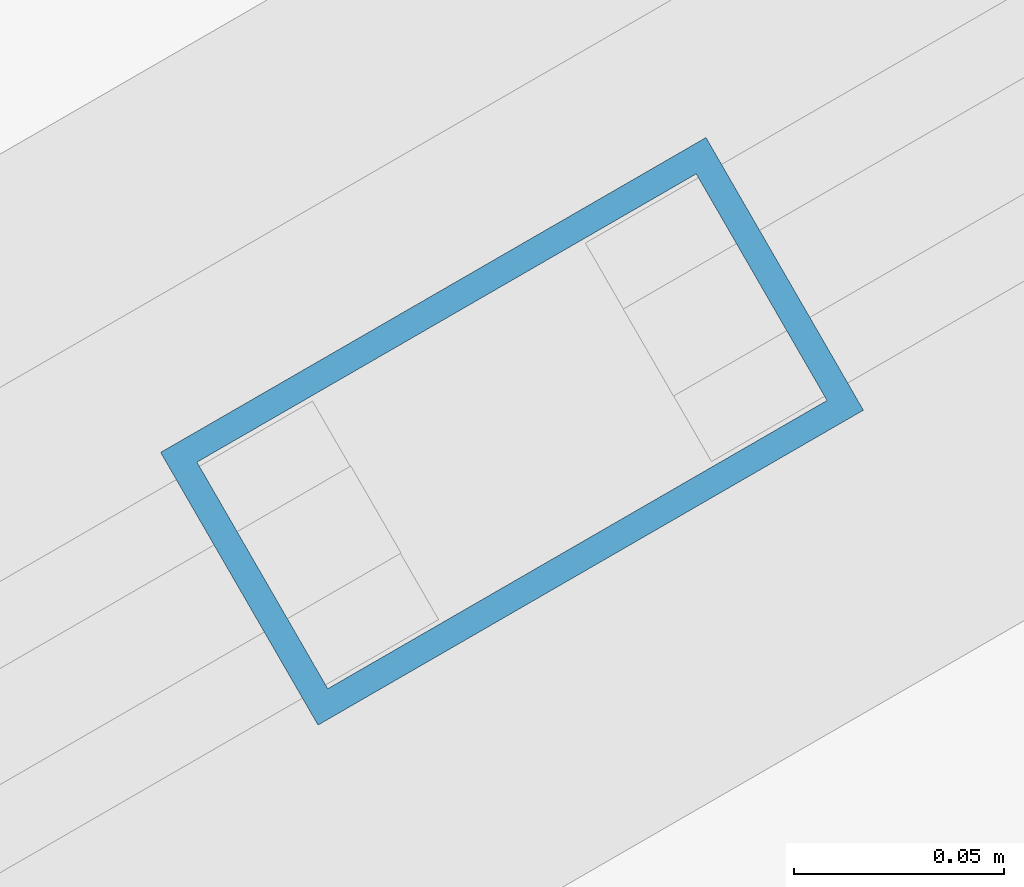
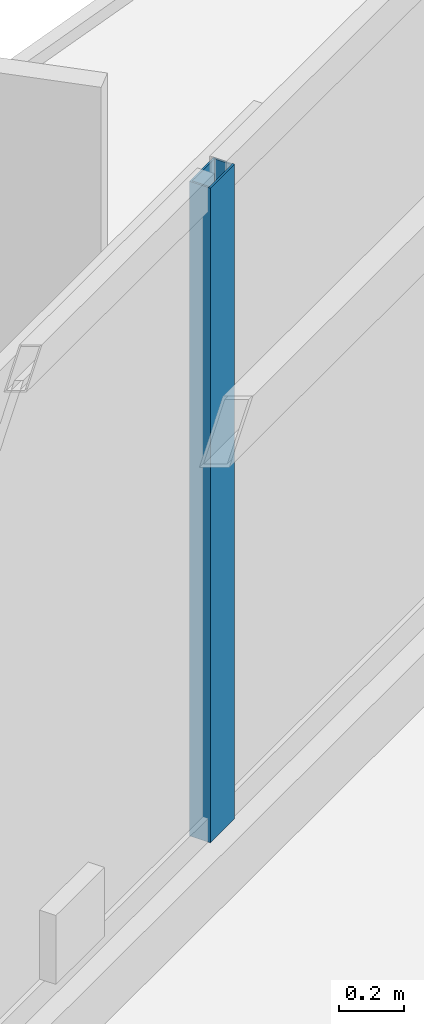
# One storey, part 11 of 22: 1 member, 1 element without a shape of its own.
"""IFC4 building model written with IfcOpenShell, lengths in metres."""

import ifcopenshell
import ifcopenshell.guid

model = None  # the IFC model being written
_history = None  # IfcOwnerHistory: only IFC2X3 demands one
_inside = {}  # id of a spatial element -> (the spatial element, [elements in it])
_under = {}  # id of a project, library or spatial element -> (it, [spatial elements below it])
_declared = {}  # id of a project -> (the project, [libraries it declares])
_typed = {}  # id of a type object -> (the type object, [elements of that type])
_made_of = {}  # id of a material, layer set ... -> (it, [elements and type objects made of it])


def new_model(schema):
    """Start an empty IFC model of exactly this schema.

    Asked for "IFC4X3", IfcOpenShell would pick the latest addendum, in which some entities
    have other attributes; the version numbers below select the first issue.
    IFC2X3 requires an IfcOwnerHistory on every rooted entity: one is made here for all.
    """
    global model, _history
    if schema == "IFC4X3":
        model = ifcopenshell.file(schema_version=(4, 3, 0, 0))
    else:
        model = ifcopenshell.file(schema=schema)
    _inside.clear()
    _under.clear()
    _declared.clear()
    _typed.clear()
    _made_of.clear()
    _history = None
    if model.schema == "IFC2X3":
        org = make("IfcOrganization", Name="unknown")
        user = make(
            "IfcPersonAndOrganization",
            ThePerson=make("IfcPerson", FamilyName="unknown"),
            TheOrganization=org,
        )
        app = make(
            "IfcApplication",
            ApplicationDeveloper=org,
            Version="unknown",
            ApplicationFullName="unknown",
            ApplicationIdentifier="unknown",
        )
        _history = make(
            "IfcOwnerHistory",
            OwningUser=user,
            OwningApplication=app,
            ChangeAction="ADDED",
            CreationDate=0,
        )
    return model


def make(cls, **values):
    """One entity of the class cls with the attributes given. An attribute that is None is left unset."""
    return model.create_entity(
        cls, **{name: value for name, value in values.items() if value is not None}
    )


def rooted(cls, **values):
    """An entity with a GlobalId (a new one), such as an element, a storey or a relation."""
    return make(cls, GlobalId=ifcopenshell.guid.new(), OwnerHistory=_history, **values)


def si_unit(unit_type, name, prefix=None):
    """IfcSIUnit, for example si_unit("LENGTHUNIT", "METRE", prefix="MILLI")."""
    return make("IfcSIUnit", UnitType=unit_type, Prefix=prefix, Name=name)


def assignment(units):
    """IfcUnitAssignment: the units of a project."""
    return None if units is None else make("IfcUnitAssignment", Units=units)


def point(xyz):
    """IfcCartesianPoint."""
    return None if xyz is None else make("IfcCartesianPoint", Coordinates=xyz)


def direction(xyz):
    """IfcDirection."""
    return None if xyz is None else make("IfcDirection", DirectionRatios=xyz)


def frame(location, z_axis=None, x_axis=None):
    """IfcAxis2Placement3D, a coordinate frame: its origin and axes. An axis left out is left unset."""
    return make(
        "IfcAxis2Placement3D",
        Location=point(location),
        Axis=direction(z_axis),
        RefDirection=direction(x_axis),
    )


def frame_2d(location, x_axis=None):
    """IfcAxis2Placement2D, a coordinate frame in the plane: its origin and x axis."""
    return make(
        "IfcAxis2Placement2D", Location=point(location), RefDirection=direction(x_axis)
    )


def origin():
    """The frame at (0, 0, 0) with its axes left unset."""
    return frame((0.0, 0.0, 0.0))


def origin_2d():
    """The frame at (0, 0) in the plane with its x axis left unset."""
    return frame_2d((0.0, 0.0))


def place(relative_to, where):
    """IfcLocalPlacement: puts the frame where relative to a parent placement (None: the world)."""
    return make(
        "IfcLocalPlacement", PlacementRelTo=relative_to, RelativePlacement=where
    )


def context(
    kind, dimensions, precision=None, world=None, true_north=None, identifier=None
):
    """IfcGeometricRepresentationContext, for example the 3D "Model" context."""
    return make(
        "IfcGeometricRepresentationContext",
        ContextIdentifier=identifier,
        ContextType=kind,
        CoordinateSpaceDimension=dimensions,
        Precision=precision,
        WorldCoordinateSystem=world,
        TrueNorth=true_north,
    )


def subcontext(parent, identifier, kind, view, scale=None):
    """IfcGeometricRepresentationSubContext, for example "Body" below "Model"."""
    return make(
        "IfcGeometricRepresentationSubContext",
        ContextIdentifier=identifier,
        ContextType=kind,
        ParentContext=parent,
        TargetScale=scale,
        TargetView=view,
    )


def project(units=None, contexts=None):
    """IfcProject with its units and contexts."""
    return rooted(
        "IfcProject",
        Name="project",
        RepresentationContexts=contexts,
        UnitsInContext=assignment(units),
    )


def spatial(cls, under=None, at=None, **own):
    """A site, building, storey or space (cls), placed at a placement, below another one or the project."""
    s = rooted(cls, ObjectPlacement=at, **own)
    if under is not None:
        _under.setdefault(under.id(), (under, []))[1].append(s)
    return s


def profile(cls, at=None, kind="AREA", **sizes):
    """A parametric profile (cls). Its sizes go by their IFC names, for example OverallWidth=200.0."""
    return make(cls, ProfileType=kind, Position=at, **sizes)


def hollow_rectangle(**sizes):
    """IfcRectangleHollowProfileDef."""
    return profile("IfcRectangleHollowProfileDef", **sizes)


def extrude(swept, where, along, depth):
    """IfcExtrudedAreaSolid: the profile swept, set in the frame where, extruded along a direction by depth."""
    return make(
        "IfcExtrudedAreaSolid",
        SweptArea=swept,
        Position=where,
        ExtrudedDirection=direction(along),
        Depth=depth,
    )


def shape(context_of_items, identifier, shape_type, items):
    """IfcShapeRepresentation: the items that make up one representation, for example the "Body"."""
    return make(
        "IfcShapeRepresentation",
        ContextOfItems=context_of_items,
        RepresentationIdentifier=identifier,
        RepresentationType=shape_type,
        Items=items,
    )


def material(Name=None, Category=None):
    """IfcMaterial."""
    return make("IfcMaterial", Name=Name, Category=Category)


def layer(
    of_material, thickness, ventilated=None, Name=None, Category=None, Priority=None
):
    """IfcMaterialLayer: one layer of a wall or slab, of a material (None: an air gap)."""
    return make(
        "IfcMaterialLayer",
        Material=of_material,
        LayerThickness=thickness,
        IsVentilated=ventilated,
        Name=Name,
        Category=Category,
        Priority=Priority,
    )


def layer_set(layers, Name=None):
    """IfcMaterialLayerSet."""
    return make("IfcMaterialLayerSet", MaterialLayers=layers, LayerSetName=Name)


def material_profile(
    of_material, cross_section, Name=None, Category=None, Priority=None
):
    """IfcMaterialProfile: a cross section and its material."""
    return make(
        "IfcMaterialProfile",
        Name=Name,
        Material=of_material,
        Profile=cross_section,
        Priority=Priority,
        Category=Category,
    )


def profile_set(profiles, Name=None, composite=None):
    """IfcMaterialProfileSet."""
    return make(
        "IfcMaterialProfileSet",
        Name=Name,
        MaterialProfiles=profiles,
        CompositeProfile=composite,
    )


def made_of(thing, what):
    """Note that an element or type object is made of a material, layer set ...; save() writes the relation."""
    if what is not None:
        _made_of.setdefault(what.id(), (what, []))[1].append(thing)
    return thing


def type_object(cls, material=None, **own):
    """A type object (cls), such as IfcWallType, which elements share."""
    return made_of(rooted(cls, **own), material)


def element(
    cls,
    number,
    at=None,
    inside=None,
    cuts=None,
    type_object=None,
    material=None,
    context=None,
    identifier="Body",
    shape_type=None,
    held_by="IfcProductDefinitionShape",
    body=None,
    shapes=None,
    **own,
):
    """One element of the class cls, such as IfcWall. Its Tag is "e" and its number.

    at: its placement. inside: the storey or other place that contains it. cuts: it is an
    opening in that element (IfcRelVoidsElement). A single representation is given by context,
    identifier, shape_type and body (its items); several are given by shapes. held_by: the class
    of the entity that holds the representations. save() writes the other relations.
    """
    e = rooted(cls, Tag="e%d" % number, ObjectPlacement=at, **own)
    if body is not None:
        shapes = [shape(context, identifier, shape_type, body)]
    if shapes is not None:
        e.Representation = make(held_by, Representations=shapes)
    if inside is not None:
        _inside.setdefault(inside.id(), (inside, []))[1].append(e)
    if cuts is not None:
        rooted(
            "IfcRelVoidsElement", RelatingBuildingElement=cuts, RelatedOpeningElement=e
        )
    if type_object is not None:
        _typed.setdefault(type_object.id(), (type_object, []))[1].append(e)
    return made_of(e, material)


def aggregate(whole, parts):
    """IfcRelAggregates: a whole, such as a stair, and the parts it consists of."""
    return rooted("IfcRelAggregates", RelatingObject=whole, RelatedObjects=parts)


def save(model, path):
    """Write the relations noted so far, then the file.

    IfcRelAggregates (storeys below a building ...), IfcRelContainedInSpatialStructure (elements
    in a storey), IfcRelDefinesByType, IfcRelAssociatesMaterial and IfcRelDeclares: one each for
    every whole, place, type object, material and project.
    """
    for whole, parts in _under.values():
        aggregate(whole, parts)
    for where, things in _inside.values():
        rooted(
            "IfcRelContainedInSpatialStructure",
            RelatedElements=things,
            RelatingStructure=where,
        )
    for kind, things in _typed.values():
        rooted("IfcRelDefinesByType", RelatedObjects=things, RelatingType=kind)
    for what, things in _made_of.values():
        rooted("IfcRelAssociatesMaterial", RelatedObjects=things, RelatingMaterial=what)
    for by, libraries in _declared.values():
        rooted("IfcRelDeclares", RelatingContext=by, RelatedDefinitions=libraries)
    model.write(path)


model = new_model("IFC4")

# Units and contexts
model_context = context("Model", 3, precision=1e-05, world=origin(), true_north=direction((0.0, 1.0)))
body_context = subcontext(model_context, "Body", "Model", "MODEL_VIEW")
ifc_project = project(units=[si_unit("LENGTHUNIT", "METRE"), si_unit("AREAUNIT", "SQUARE_METRE"), si_unit("VOLUMEUNIT", "CUBIC_METRE"), si_unit("PLANEANGLEUNIT", "RADIAN"), si_unit("MASSUNIT", "GRAM", prefix="KILO")], contexts=[model_context])

# Site, building, storey
site_placement = place(None, origin())
site = spatial("IfcSite", under=ifc_project, at=site_placement, CompositionType="ELEMENT")
building_placement = place(site_placement, origin())
building = spatial("IfcBuilding", under=site, at=building_placement, Name="Mersakhor Tower and Convention Hall", CompositionType="ELEMENT")
storey_placement = place(building_placement, frame((0.0, 0.0, 90.0)))
storey = spatial("IfcBuildingStorey", under=building, at=storey_placement, Name="L24", CompositionType="ELEMENT", Elevation=90.0)

# Curtain wall, member
ifc_material_1 = material(Name="Dark solar low-E aluminium curtain wall", Category="aluminium")
ifc_layer = layer(ifc_material_1, 0.159912109375)
ifc_layer_set = layer_set([ifc_layer], Name="Dark solar low-E aluminium curtain wall")
curtain_wall_type = type_object("IfcCurtainWallType", Name="CW-SYS-01", PredefinedType="USERDEFINED", material=ifc_layer_set)
curtain_wall_placement = place(storey_placement, origin())
curtain_wall = element("IfcCurtainWall", 1, at=curtain_wall_placement, inside=storey, type_object=curtain_wall_type, Name="L24 Dark-Glass Curtain Wall F1-B2", ObjectType="CURTAIN WALL", PredefinedType="USERDEFINED")
ifc_material_2 = material(Name="Anodised aluminium EN AW-6063 T6", Category="aluminium")
ifc_material_profile = material_profile(ifc_material_2, hollow_rectangle(XDim=0.074951171875, YDim=0.14990234375, WallThickness=0.00634765625, at=origin_2d()), Name="RHS 150x75x6.3")
ifc_profile_set = profile_set([ifc_material_profile], Name="Anodised aluminium EN AW-6063 T6")
member_type = type_object("IfcMemberType", Name="CWM-150x75", PredefinedType="MULLION", material=ifc_profile_set)
member_placement = place(storey_placement, frame((20.36181640625, 37.968505859375, 0.199951171875), z_axis=(0.0, 0.0, 1.0), x_axis=(-0.499997904985, 0.866026613339, 0.0)))
member = element("IfcMember", 2, at=member_placement, type_object=member_type, Name="CW-01 mullion 2", PredefinedType="MULLION", context=body_context, shape_type="SweptSolid", body=[
    extrude(hollow_rectangle(XDim=0.074951171875, YDim=0.14990234375, WallThickness=0.00634765625, at=origin_2d()), origin(), (0.0, 0.0, 1.0), 2.469970703125),
])
aggregate(curtain_wall, [member])

save(model, "model.ifc")
